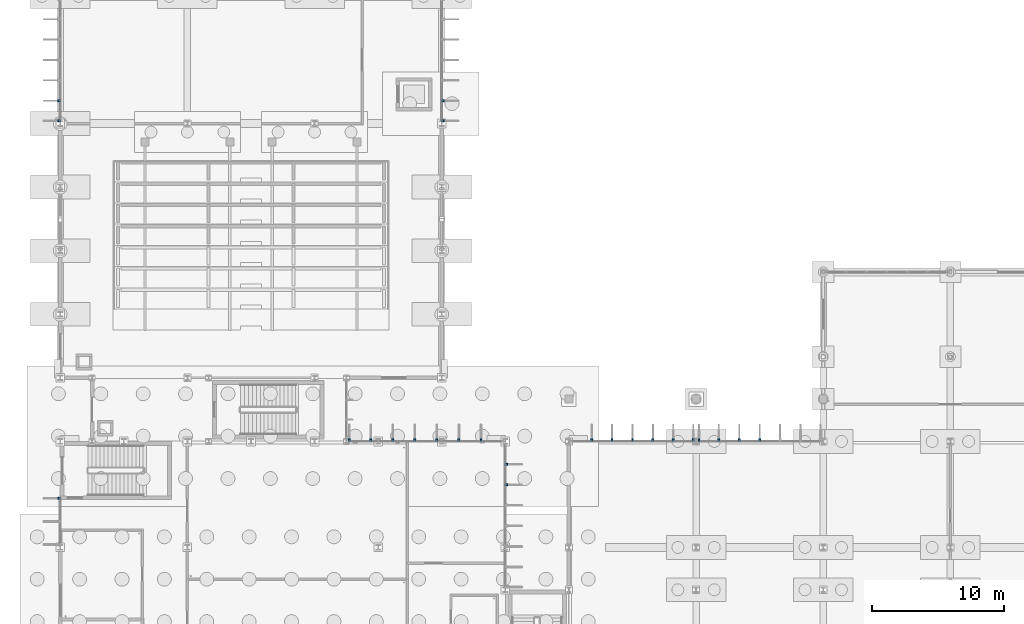
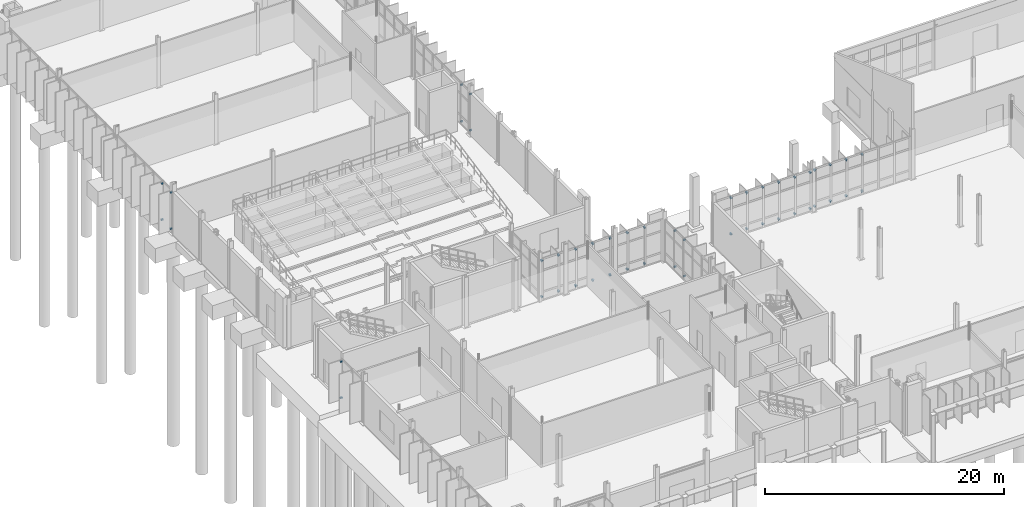
# One storey, part 97 of 111: 48 discrete accessories.
"""IFC4 building model written with IfcOpenShell, lengths in metres."""

from ifc_helpers import new_model, si_unit, direction, frame, origin, origin_2d, place, context, subcontext, project, spatial, rectangle, extrude, material, type_object, element, save


model = new_model("IFC4")

# Units and contexts
model_context = context("Model", 3, precision=1e-05, world=origin(), true_north=direction((0.0, 1.0)))
body_context = subcontext(model_context, "Body", "Model", "MODEL_VIEW")
ifc_project = project(units=[si_unit("LENGTHUNIT", "METRE"), si_unit("AREAUNIT", "SQUARE_METRE"), si_unit("VOLUMEUNIT", "CUBIC_METRE"), si_unit("PLANEANGLEUNIT", "RADIAN"), si_unit("MASSUNIT", "GRAM", prefix="KILO")], contexts=[model_context])

# Site, building, storey
site_placement = place(None, origin())
site = spatial("IfcSite", under=ifc_project, at=site_placement, CompositionType="ELEMENT")
building_placement = place(site_placement, origin())
building = spatial("IfcBuilding", under=site, at=building_placement, Name="Dunescarp Central Library", CompositionType="ELEMENT")
storey_placement = place(building_placement, origin())
storey = spatial("IfcBuildingStorey", under=building, at=storey_placement, Name="L00", CompositionType="ELEMENT", Elevation=0.0)

# Discrete accessories
ifc_material = material(Name="Stainless steel Grade 316L", Category="steel")
discrete_accessory_type = type_object("IfcDiscreteAccessoryType", Name="ARC-ACC-BRK", PredefinedType="BRACKET", material=ifc_material)
for number, where, z_axis, x_axis, name in (
    (1, (21.81494140625, 36.8798828125, 0.27685546875), (0.0, 0.0, 1.0), (0.0, 1.0, 0.0), "Fin bracket BRK-FIN-L00-0007-B"),
    (2, (21.81494140625, 36.8798828125, 3.97509765625), (0.0, 0.0, 1.0), (0.0, 1.0, 0.0), "Fin bracket BRK-FIN-L00-0007-T"),
    (3, (23.43896484375, 36.8798828125, 0.2900390625), (0.0, 0.0, 1.0), (0.0, 1.0, 0.0), "Fin bracket BRK-FIN-L00-0008-B"),
    (4, (23.43896484375, 36.8798828125, 3.97509765625), (0.0, 0.0, 1.0), (0.0, 1.0, 0.0), "Fin bracket BRK-FIN-L00-0008-T"),
    (5, (25.10400390625, 36.8798828125, 0.27392578125), (0.0, 0.0, 1.0), (0.0, 1.0, 0.0), "Fin bracket BRK-FIN-L00-0009-B"),
    (6, (25.10400390625, 36.8798828125, 3.97509765625), (0.0, 0.0, 1.0), (0.0, 1.0, 0.0), "Fin bracket BRK-FIN-L00-0009-T"),
    (7, (26.76806640625, 36.8798828125, 0.23291015625), (0.0, 0.0, 1.0), (0.0, 1.0, 0.0), "Fin bracket BRK-FIN-L00-0010-B"),
    (8, (26.76806640625, 36.8798828125, 3.97509765625), (0.0, 0.0, 1.0), (0.0, 1.0, 0.0), "Fin bracket BRK-FIN-L00-0010-T"),
    (9, (28.431884765625, 36.8798828125, 0.18994140625), (0.0, 0.0, 1.0), (0.0, 1.0, 0.0), "Fin bracket BRK-FIN-L00-0011-B"),
    (10, (28.431884765625, 36.8798828125, 3.9638671875), (0.0, 0.0, 1.0), (0.0, 1.0, 0.0), "Fin bracket BRK-FIN-L00-0011-T"),
    (11, (30.095947265625, 36.8798828125, 0.18994140625), (0.0, 0.0, 1.0), (0.0, 1.0, 0.0), "Fin bracket BRK-FIN-L00-0012-B"),
    (12, (30.095947265625, 36.8798828125, 3.9140625), (0.0, 0.0, 1.0), (0.0, 1.0, 0.0), "Fin bracket BRK-FIN-L00-0012-T"),
    (13, (31.760986328125, 36.8798828125, 0.18994140625), (0.0, 0.0, 1.0), (0.0, 1.0, 0.0), "Fin bracket BRK-FIN-L00-0013-B"),
    (14, (31.760986328125, 36.8798828125, 3.880859375), (0.0, 0.0, 1.0), (0.0, 1.0, 0.0), "Fin bracket BRK-FIN-L00-0013-T"),
    (15, (-0.080078125, 32.510009765625, 0.27392578125), (0.0, 0.0, 1.0), (-1.0, 0.0, 0.0), "Fin bracket BRK-FIN-L00-0026-B"),
    (16, (-0.080078125, 32.510009765625, 3.97509765625), (0.0, 0.0, 1.0), (-1.0, 0.0, 0.0), "Fin bracket BRK-FIN-L00-0026-T"),
    (17, (33.679931640625, 35.074951171875, 0.2900390625), (0.0, 0.0, 1.0), (1.0, 0.0, 0.0), "Fin bracket BRK-FIN-L00-0027-B"),
    (18, (33.679931640625, 35.074951171875, 3.97509765625), (0.0, 0.0, 1.0), (1.0, 0.0, 0.0), "Fin bracket BRK-FIN-L00-0027-T"),
    (19, (33.679931640625, 33.52490234375, 0.27392578125), (0.0, 0.0, 1.0), (1.0, 0.0, 0.0), "Fin bracket BRK-FIN-L00-0028-B"),
    (20, (33.679931640625, 33.52490234375, 3.97509765625), (0.0, 0.0, 1.0), (1.0, 0.0, 0.0), "Fin bracket BRK-FIN-L00-0028-T"),
    (21, (40.116943359375, 36.8798828125, 0.2900390625), (0.0, 0.0, 1.0), (0.0, 1.0, 0.0), "Fin bracket BRK-FIN-L00-0325-B"),
    (22, (40.116943359375, 36.8798828125, 3.98486328125), (0.0, 0.0, 1.0), (0.0, 1.0, 0.0), "Fin bracket BRK-FIN-L00-0325-T"),
    (23, (41.657958984375, 36.8798828125, 0.27392578125), (0.0, 0.0, 1.0), (0.0, 1.0, 0.0), "Fin bracket BRK-FIN-L00-0326-B"),
    (24, (41.657958984375, 36.8798828125, 3.98486328125), (0.0, 0.0, 1.0), (0.0, 1.0, 0.0), "Fin bracket BRK-FIN-L00-0326-T"),
    (25, (43.199951171875, 36.8798828125, 0.23291015625), (0.0, 0.0, 1.0), (0.0, 1.0, 0.0), "Fin bracket BRK-FIN-L00-0327-B"),
    (26, (43.199951171875, 36.8798828125, 3.98486328125), (0.0, 0.0, 1.0), (0.0, 1.0, 0.0), "Fin bracket BRK-FIN-L00-0327-T"),
    (27, (44.741943359375, 36.8798828125, 0.18994140625), (0.0, 0.0, 1.0), (0.0, 1.0, 0.0), "Fin bracket BRK-FIN-L00-0328-B"),
    (28, (44.741943359375, 36.8798828125, 3.97412109375), (0.0, 0.0, 1.0), (0.0, 1.0, 0.0), "Fin bracket BRK-FIN-L00-0328-T"),
    (29, (46.282958984375, 36.8798828125, 0.18994140625), (0.0, 0.0, 1.0), (0.0, 1.0, 0.0), "Fin bracket BRK-FIN-L00-0329-B"),
    (30, (46.282958984375, 36.8798828125, 3.923828125), (0.0, 0.0, 1.0), (0.0, 1.0, 0.0), "Fin bracket BRK-FIN-L00-0329-T"),
    (31, (47.784912109375, 36.8798828125, 0.18994140625), (0.0, 0.0, 1.0), (0.0, 1.0, 0.0), "Fin bracket BRK-FIN-L00-0330-B"),
    (32, (47.784912109375, 36.8798828125, 3.89111328125), (0.0, 0.0, 1.0), (0.0, 1.0, 0.0), "Fin bracket BRK-FIN-L00-0330-T"),
    (33, (48.215087890625, 36.8798828125, 0.27685546875), (0.0, 0.0, 1.0), (0.0, 1.0, 0.0), "Fin bracket BRK-FIN-L00-0331-B"),
    (34, (48.215087890625, 36.8798828125, 3.98486328125), (0.0, 0.0, 1.0), (0.0, 1.0, 0.0), "Fin bracket BRK-FIN-L00-0331-T"),
    (35, (49.717041015625, 36.8798828125, 0.2900390625), (0.0, 0.0, 1.0), (0.0, 1.0, 0.0), "Fin bracket BRK-FIN-L00-0332-B"),
    (36, (49.717041015625, 36.8798828125, 3.98486328125), (0.0, 0.0, 1.0), (0.0, 1.0, 0.0), "Fin bracket BRK-FIN-L00-0332-T"),
    (37, (51.258056640625, 36.8798828125, 0.27392578125), (0.0, 0.0, 1.0), (0.0, 1.0, 0.0), "Fin bracket BRK-FIN-L00-0333-B"),
    (38, (51.258056640625, 36.8798828125, 3.98486328125), (0.0, 0.0, 1.0), (0.0, 1.0, 0.0), "Fin bracket BRK-FIN-L00-0333-T"),
    (39, (52.800048828125, 36.8798828125, 0.23291015625), (0.0, 0.0, 1.0), (0.0, 1.0, 0.0), "Fin bracket BRK-FIN-L00-0334-B"),
    (40, (52.800048828125, 36.8798828125, 3.98486328125), (0.0, 0.0, 1.0), (0.0, 1.0, 0.0), "Fin bracket BRK-FIN-L00-0334-T"),
    (41, (-0.080078125, 61.014892578125, 0.27685546875), (0.0, 0.0, 1.0), (-1.0, 0.0, 0.0), "Fin bracket BRK-FIN-L00-0743-B"),
    (42, (-0.080078125, 61.014892578125, 3.9921875), (0.0, 0.0, 1.0), (-1.0, 0.0, 0.0), "Fin bracket BRK-FIN-L00-0743-T"),
    (43, (-0.080078125, 62.51708984375, 0.2900390625), (0.0, 0.0, 1.0), (-1.0, 0.0, 0.0), "Fin bracket BRK-FIN-L00-0744-B"),
    (44, (-0.080078125, 62.51708984375, 3.9921875), (0.0, 0.0, 1.0), (-1.0, 0.0, 0.0), "Fin bracket BRK-FIN-L00-0744-T"),
    (45, (28.8798828125, 62.51708984375, 0.18994140625), (0.0, 0.0, 1.0), (1.0, 0.0, 0.0), "Fin bracket BRK-FIN-L00-0755-B"),
    (46, (28.8798828125, 62.51708984375, 3.93115234375), (0.0, 0.0, 1.0), (1.0, 0.0, 0.0), "Fin bracket BRK-FIN-L00-0755-T"),
    (47, (28.8798828125, 61.014892578125, 0.18994140625), (0.0, 0.0, 1.0), (1.0, 0.0, 0.0), "Fin bracket BRK-FIN-L00-0756-B"),
    (48, (28.8798828125, 61.014892578125, 3.89794921875), (0.0, 0.0, 1.0), (1.0, 0.0, 0.0), "Fin bracket BRK-FIN-L00-0756-T"),
):
    element("IfcDiscreteAccessory", number, at=place(storey_placement, frame(where, z_axis=z_axis, x_axis=x_axis)), inside=storey, type_object=discrete_accessory_type, Name=name, PredefinedType="BRACKET", context=body_context, shape_type="SweptSolid", body=[
        extrude(rectangle(XDim=0.219970703125, YDim=0.139892578125, at=origin_2d()), origin(), (0.0, 0.0, 1.0), 0.139892578125),
    ])

save(model, "model.ifc")
